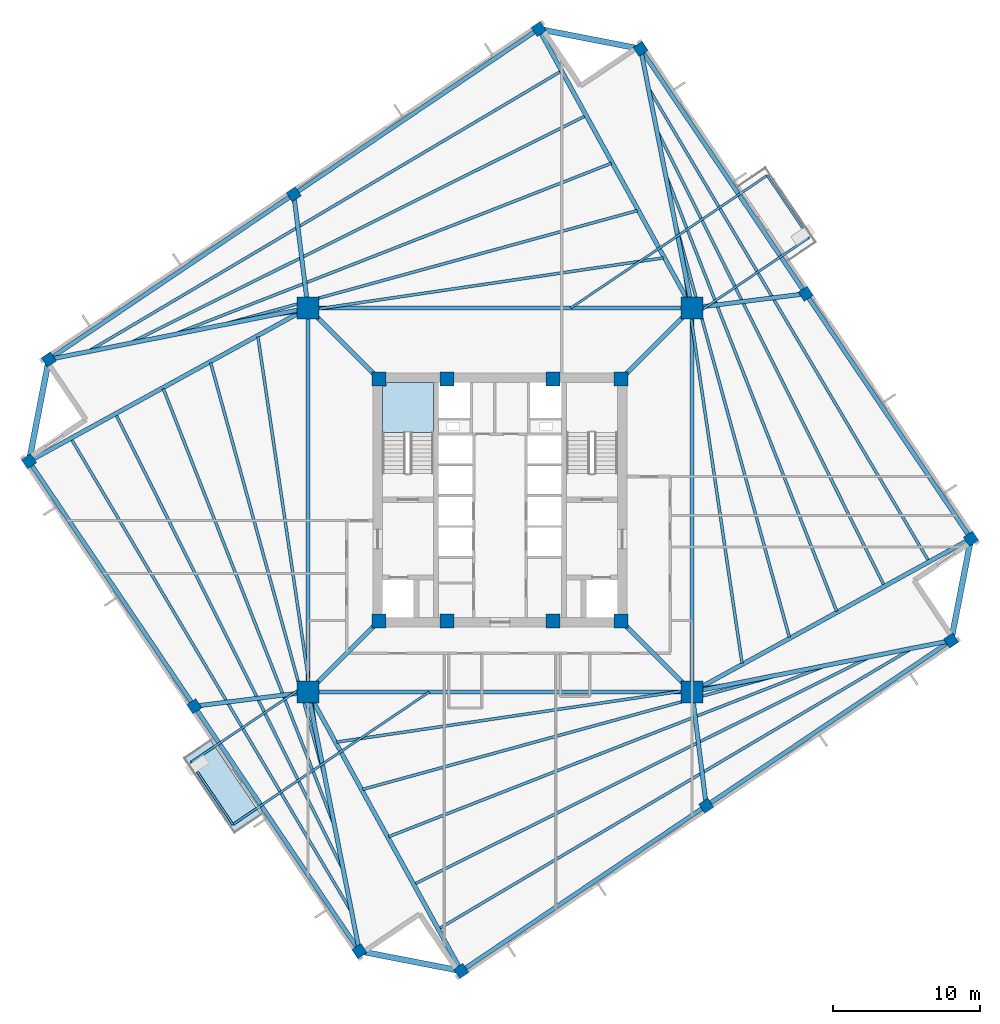
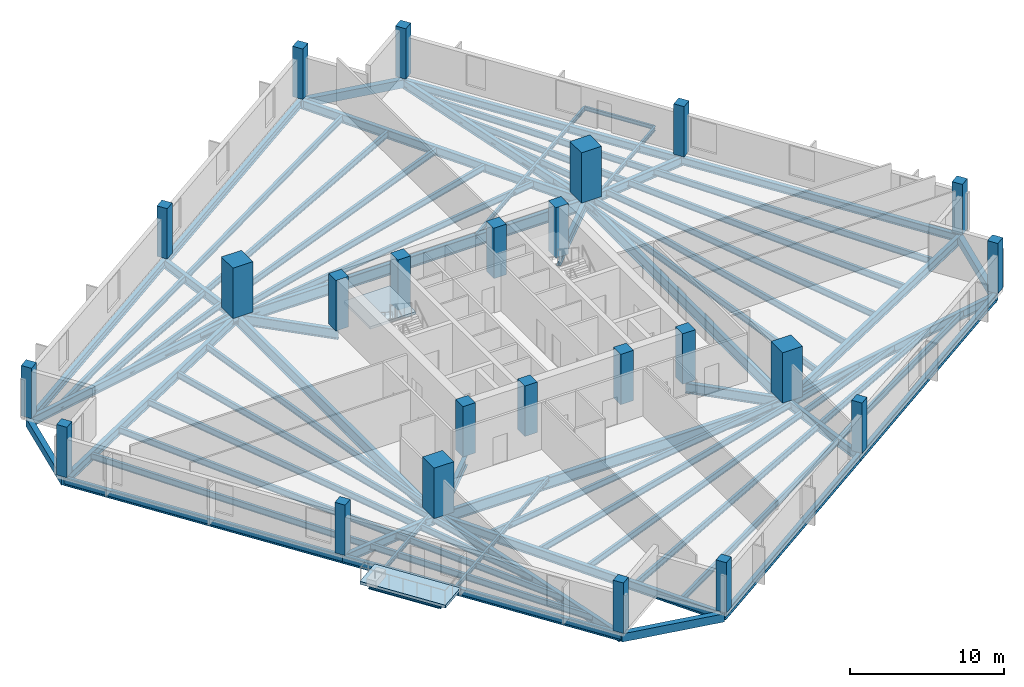
# One storey, part 1 of 9: 58 beams, 24 columns, 2 slabs, 1 element without a shape of its own.
"""IFC4 building model written with IfcOpenShell, lengths in metres."""

import ifcopenshell
import ifcopenshell.guid

model = None  # the IFC model being written
_history = None  # IfcOwnerHistory: only IFC2X3 demands one
_inside = {}  # id of a spatial element -> (the spatial element, [elements in it])
_under = {}  # id of a project, library or spatial element -> (it, [spatial elements below it])
_declared = {}  # id of a project -> (the project, [libraries it declares])
_typed = {}  # id of a type object -> (the type object, [elements of that type])
_made_of = {}  # id of a material, layer set ... -> (it, [elements and type objects made of it])


def new_model(schema):
    """Start an empty IFC model of exactly this schema.

    Asked for "IFC4X3", IfcOpenShell would pick the latest addendum, in which some entities
    have other attributes; the version numbers below select the first issue.
    IFC2X3 requires an IfcOwnerHistory on every rooted entity: one is made here for all.
    """
    global model, _history
    if schema == "IFC4X3":
        model = ifcopenshell.file(schema_version=(4, 3, 0, 0))
    else:
        model = ifcopenshell.file(schema=schema)
    _inside.clear()
    _under.clear()
    _declared.clear()
    _typed.clear()
    _made_of.clear()
    _history = None
    if model.schema == "IFC2X3":
        org = make("IfcOrganization", Name="unknown")
        user = make(
            "IfcPersonAndOrganization",
            ThePerson=make("IfcPerson", FamilyName="unknown"),
            TheOrganization=org,
        )
        app = make(
            "IfcApplication",
            ApplicationDeveloper=org,
            Version="unknown",
            ApplicationFullName="unknown",
            ApplicationIdentifier="unknown",
        )
        _history = make(
            "IfcOwnerHistory",
            OwningUser=user,
            OwningApplication=app,
            ChangeAction="ADDED",
            CreationDate=0,
        )
    return model


def make(cls, **values):
    """One entity of the class cls with the attributes given. An attribute that is None is left unset."""
    return model.create_entity(
        cls, **{name: value for name, value in values.items() if value is not None}
    )


def rooted(cls, **values):
    """An entity with a GlobalId (a new one), such as an element, a storey or a relation."""
    return make(cls, GlobalId=ifcopenshell.guid.new(), OwnerHistory=_history, **values)


def si_unit(unit_type, name, prefix=None):
    """IfcSIUnit, for example si_unit("LENGTHUNIT", "METRE", prefix="MILLI")."""
    return make("IfcSIUnit", UnitType=unit_type, Prefix=prefix, Name=name)


def assignment(units):
    """IfcUnitAssignment: the units of a project."""
    return None if units is None else make("IfcUnitAssignment", Units=units)


def point(xyz):
    """IfcCartesianPoint."""
    return None if xyz is None else make("IfcCartesianPoint", Coordinates=xyz)


def direction(xyz):
    """IfcDirection."""
    return None if xyz is None else make("IfcDirection", DirectionRatios=xyz)


def frame(location, z_axis=None, x_axis=None):
    """IfcAxis2Placement3D, a coordinate frame: its origin and axes. An axis left out is left unset."""
    return make(
        "IfcAxis2Placement3D",
        Location=point(location),
        Axis=direction(z_axis),
        RefDirection=direction(x_axis),
    )


def frame_2d(location, x_axis=None):
    """IfcAxis2Placement2D, a coordinate frame in the plane: its origin and x axis."""
    return make(
        "IfcAxis2Placement2D", Location=point(location), RefDirection=direction(x_axis)
    )


def origin():
    """The frame at (0, 0, 0) with its axes left unset."""
    return frame((0.0, 0.0, 0.0))


def origin_2d():
    """The frame at (0, 0) in the plane with its x axis left unset."""
    return frame_2d((0.0, 0.0))


def place(relative_to, where):
    """IfcLocalPlacement: puts the frame where relative to a parent placement (None: the world)."""
    return make(
        "IfcLocalPlacement", PlacementRelTo=relative_to, RelativePlacement=where
    )


def context(
    kind, dimensions, precision=None, world=None, true_north=None, identifier=None
):
    """IfcGeometricRepresentationContext, for example the 3D "Model" context."""
    return make(
        "IfcGeometricRepresentationContext",
        ContextIdentifier=identifier,
        ContextType=kind,
        CoordinateSpaceDimension=dimensions,
        Precision=precision,
        WorldCoordinateSystem=world,
        TrueNorth=true_north,
    )


def subcontext(parent, identifier, kind, view, scale=None):
    """IfcGeometricRepresentationSubContext, for example "Body" below "Model"."""
    return make(
        "IfcGeometricRepresentationSubContext",
        ContextIdentifier=identifier,
        ContextType=kind,
        ParentContext=parent,
        TargetScale=scale,
        TargetView=view,
    )


def project(units=None, contexts=None):
    """IfcProject with its units and contexts."""
    return rooted(
        "IfcProject",
        Name="project",
        RepresentationContexts=contexts,
        UnitsInContext=assignment(units),
    )


def spatial(cls, under=None, at=None, **own):
    """A site, building, storey or space (cls), placed at a placement, below another one or the project."""
    s = rooted(cls, ObjectPlacement=at, **own)
    if under is not None:
        _under.setdefault(under.id(), (under, []))[1].append(s)
    return s


def polyline(points):
    """IfcPolyline through the points."""
    return make("IfcPolyline", Points=[point(p) for p in points])


def profile(cls, at=None, kind="AREA", **sizes):
    """A parametric profile (cls). Its sizes go by their IFC names, for example OverallWidth=200.0."""
    return make(cls, ProfileType=kind, Position=at, **sizes)


def rectangle(**sizes):
    """IfcRectangleProfileDef."""
    return profile("IfcRectangleProfileDef", **sizes)


def i_section(**sizes):
    """IfcIShapeProfileDef."""
    return profile("IfcIShapeProfileDef", **sizes)


def outline(outer, holes=None, kind="AREA"):
    """IfcArbitraryClosedProfileDef: a profile drawn as a closed curve; with holes, ...WithVoids."""
    if holes is None:
        return make("IfcArbitraryClosedProfileDef", ProfileType=kind, OuterCurve=outer)
    return make(
        "IfcArbitraryProfileDefWithVoids",
        ProfileType=kind,
        OuterCurve=outer,
        InnerCurves=holes,
    )


def extrude(swept, where, along, depth):
    """IfcExtrudedAreaSolid: the profile swept, set in the frame where, extruded along a direction by depth."""
    return make(
        "IfcExtrudedAreaSolid",
        SweptArea=swept,
        Position=where,
        ExtrudedDirection=direction(along),
        Depth=depth,
    )


def shape(context_of_items, identifier, shape_type, items):
    """IfcShapeRepresentation: the items that make up one representation, for example the "Body"."""
    return make(
        "IfcShapeRepresentation",
        ContextOfItems=context_of_items,
        RepresentationIdentifier=identifier,
        RepresentationType=shape_type,
        Items=items,
    )


def source(mapping_origin, context_of_items, identifier, shape_type, items):
    """IfcRepresentationMap: a shape defined once, which mapped items show again and again."""
    return make(
        "IfcRepresentationMap",
        MappingOrigin=mapping_origin,
        MappedRepresentation=shape(context_of_items, identifier, shape_type, items),
    )


def transform(
    local_origin,
    x_axis=None,
    y_axis=None,
    z_axis=None,
    scale=None,
    scale2=None,
    scale3=None,
    uniform=True,
):
    """IfcCartesianTransformationOperator3D, or its non-uniform kind. x_axis, y_axis, z_axis: its Axis1, 2, 3."""
    if uniform:
        return make(
            "IfcCartesianTransformationOperator3D",
            Axis1=direction(x_axis),
            Axis2=direction(y_axis),
            LocalOrigin=point(local_origin),
            Scale=scale,
            Axis3=direction(z_axis),
        )
    return make(
        "IfcCartesianTransformationOperator3DnonUniform",
        Axis1=direction(x_axis),
        Axis2=direction(y_axis),
        LocalOrigin=point(local_origin),
        Scale=scale,
        Axis3=direction(z_axis),
        Scale2=scale2,
        Scale3=scale3,
    )


def mapped(mapping_source, mapping_target):
    """IfcMappedItem: shows the shape of a source again, moved by a transform."""
    return make(
        "IfcMappedItem", MappingSource=mapping_source, MappingTarget=mapping_target
    )


def material(Name=None, Category=None):
    """IfcMaterial."""
    return make("IfcMaterial", Name=Name, Category=Category)


def layer(
    of_material, thickness, ventilated=None, Name=None, Category=None, Priority=None
):
    """IfcMaterialLayer: one layer of a wall or slab, of a material (None: an air gap)."""
    return make(
        "IfcMaterialLayer",
        Material=of_material,
        LayerThickness=thickness,
        IsVentilated=ventilated,
        Name=Name,
        Category=Category,
        Priority=Priority,
    )


def layer_set(layers, Name=None):
    """IfcMaterialLayerSet."""
    return make("IfcMaterialLayerSet", MaterialLayers=layers, LayerSetName=Name)


def material_profile(
    of_material, cross_section, Name=None, Category=None, Priority=None
):
    """IfcMaterialProfile: a cross section and its material."""
    return make(
        "IfcMaterialProfile",
        Name=Name,
        Material=of_material,
        Profile=cross_section,
        Priority=Priority,
        Category=Category,
    )


def profile_set(profiles, Name=None, composite=None):
    """IfcMaterialProfileSet."""
    return make(
        "IfcMaterialProfileSet",
        Name=Name,
        MaterialProfiles=profiles,
        CompositeProfile=composite,
    )


def made_of(thing, what):
    """Note that an element or type object is made of a material, layer set ...; save() writes the relation."""
    if what is not None:
        _made_of.setdefault(what.id(), (what, []))[1].append(thing)
    return thing


def type_object(cls, material=None, **own):
    """A type object (cls), such as IfcWallType, which elements share."""
    return made_of(rooted(cls, **own), material)


def element(
    cls,
    number,
    at=None,
    inside=None,
    cuts=None,
    type_object=None,
    material=None,
    context=None,
    identifier="Body",
    shape_type=None,
    held_by="IfcProductDefinitionShape",
    body=None,
    shapes=None,
    **own,
):
    """One element of the class cls, such as IfcWall. Its Tag is "e" and its number.

    at: its placement. inside: the storey or other place that contains it. cuts: it is an
    opening in that element (IfcRelVoidsElement). A single representation is given by context,
    identifier, shape_type and body (its items); several are given by shapes. held_by: the class
    of the entity that holds the representations. save() writes the other relations.
    """
    e = rooted(cls, Tag="e%d" % number, ObjectPlacement=at, **own)
    if body is not None:
        shapes = [shape(context, identifier, shape_type, body)]
    if shapes is not None:
        e.Representation = make(held_by, Representations=shapes)
    if inside is not None:
        _inside.setdefault(inside.id(), (inside, []))[1].append(e)
    if cuts is not None:
        rooted(
            "IfcRelVoidsElement", RelatingBuildingElement=cuts, RelatedOpeningElement=e
        )
    if type_object is not None:
        _typed.setdefault(type_object.id(), (type_object, []))[1].append(e)
    return made_of(e, material)


def aggregate(whole, parts):
    """IfcRelAggregates: a whole, such as a stair, and the parts it consists of."""
    return rooted("IfcRelAggregates", RelatingObject=whole, RelatedObjects=parts)


def save(model, path):
    """Write the relations noted so far, then the file.

    IfcRelAggregates (storeys below a building ...), IfcRelContainedInSpatialStructure (elements
    in a storey), IfcRelDefinesByType, IfcRelAssociatesMaterial and IfcRelDeclares: one each for
    every whole, place, type object, material and project.
    """
    for whole, parts in _under.values():
        aggregate(whole, parts)
    for where, things in _inside.values():
        rooted(
            "IfcRelContainedInSpatialStructure",
            RelatedElements=things,
            RelatingStructure=where,
        )
    for kind, things in _typed.values():
        rooted("IfcRelDefinesByType", RelatedObjects=things, RelatingType=kind)
    for what, things in _made_of.values():
        rooted("IfcRelAssociatesMaterial", RelatedObjects=things, RelatingMaterial=what)
    for by, libraries in _declared.values():
        rooted("IfcRelDeclares", RelatingContext=by, RelatedDefinitions=libraries)
    model.write(path)


model = new_model("IFC4")

# Units and contexts
model_context = context("Model", 3, precision=1e-05, world=origin(), true_north=direction((0.0, 1.0)))
body_context = subcontext(model_context, "Body", "Model", "MODEL_VIEW")
ifc_project = project(units=[si_unit("LENGTHUNIT", "METRE"), si_unit("AREAUNIT", "SQUARE_METRE"), si_unit("VOLUMEUNIT", "CUBIC_METRE"), si_unit("PLANEANGLEUNIT", "RADIAN"), si_unit("MASSUNIT", "GRAM", prefix="KILO"), si_unit("THERMODYNAMICTEMPERATUREUNIT", "KELVIN")], contexts=[model_context])

# Site, building, storey
site_placement = place(None, origin())
site = spatial("IfcSite", under=ifc_project, at=site_placement, CompositionType="ELEMENT")
building_placement = place(site_placement, origin())
building = spatial("IfcBuilding", under=site, at=building_placement, Name="Kosmvard Interchange Tower", CompositionType="ELEMENT")
storey_placement = place(building_placement, frame((0.0, 0.0, 168.39990234375)))
storey = spatial("IfcBuildingStorey", under=building, at=storey_placement, Name="L40", CompositionType="ELEMENT", Elevation=168.39990234375)

# Columns
ifc_material_1 = material(Name="Concrete C60/75", Category="concrete")
ifc_material_profile_1 = material_profile(ifc_material_1, rectangle(XDim=0.949951171875, YDim=0.949951171875, at=origin_2d()), Name="CP 950x950")
ifc_profile_set_1 = profile_set([ifc_material_profile_1], Name="Concrete C60/75")
column_type_1 = type_object("IfcColumnType", Name="Core Boundary Pilaster 950x950 C60/75", PredefinedType="PILASTER", material=ifc_profile_set_1)
shared_shape_1 = source(origin(), body_context, "Body", "SweptSolid", [
    extrude(rectangle(XDim=0.949951171875, YDim=0.949951171875, at=origin_2d()), origin(), (0.0, 0.0, 1.0), 4.0),
])
for number, where, z_axis, x_axis, name in (
    (1, (-8.25, -8.25, 0.0), (0.0, 0.0, 1.0), (1.0, 0.0, 0.0), "L40 Core Pilaster CP1"),
    (2, (8.25, -8.25, 0.0), (0.0, 0.0, 1.0), (1.0, 0.0, 0.0), "L40 Core Pilaster CP2"),
    (3, (8.25, 8.25, 0.0), (0.0, 0.0, 1.0), (1.0, 0.0, 0.0), "L40 Core Pilaster CP3"),
    (4, (-8.25, 8.25, 0.0), (0.0, 0.0, 1.0), (1.0, 0.0, 0.0), "L40 Core Pilaster CP4"),
    (5, (-3.60009765625, -8.25, 0.0), (0.0, 0.0, 1.0), (1.0, 0.0, 0.0), "L40 Core Pilaster CP5"),
    (6, (3.60009765625, -8.25, 0.0), (0.0, 0.0, 1.0), (1.0, 0.0, 0.0), "L40 Core Pilaster CP6"),
    (7, (-3.60009765625, 8.25, 0.0), (0.0, 0.0, 1.0), (1.0, 0.0, 0.0), "L40 Core Pilaster CP7"),
    (8, (3.60009765625, 8.25, 0.0), (0.0, 0.0, 1.0), (1.0, 0.0, 0.0), "L40 Core Pilaster CP8"),
):
    element("IfcColumn", number, at=place(storey_placement, frame(where, z_axis=z_axis, x_axis=x_axis)), inside=storey, type_object=column_type_1, Name=name, PredefinedType="PILASTER", context=body_context, shape_type="MappedRepresentation", body=[
        mapped(shared_shape_1, transform((0.0, 0.0, 0.0), scale=1.0)),
    ])
ifc_material_profile_2 = material_profile(ifc_material_1, rectangle(XDim=1.5, YDim=1.5, at=origin_2d()), Name="MC 1500x1500")
ifc_profile_set_2 = profile_set([ifc_material_profile_2], Name="Concrete C60/75")
column_type_2 = type_object("IfcColumnType", Name="Composite Mega-Column 1500x1500 C60/75", PredefinedType="COLUMN", material=ifc_profile_set_2)
shared_shape_2 = source(origin(), body_context, "Body", "SweptSolid", [
    extrude(rectangle(XDim=1.5, YDim=1.5, at=origin_2d()), origin(), (0.0, 0.0, 1.0), 4.0),
])
for number, where, z_axis, x_axis, name in (
    (9, (-13.0810546875, -13.0810546875, 0.0), (0.0, 0.0, 1.0), (1.0, 0.0, 0.0), "L40 Corner Mega-Column MC1"),
    (10, (13.0810546875, -13.0810546875, 0.0), (0.0, 0.0, 1.0), (1.0, 0.0, 0.0), "L40 Corner Mega-Column MC2"),
    (11, (13.0810546875, 13.0810546875, 0.0), (0.0, 0.0, 1.0), (1.0, 0.0, 0.0), "L40 Corner Mega-Column MC3"),
    (12, (-13.0810546875, 13.0810546875, 0.0), (0.0, 0.0, 1.0), (1.0, 0.0, 0.0), "L40 Corner Mega-Column MC4"),
):
    element("IfcColumn", number, at=place(storey_placement, frame(where, z_axis=z_axis, x_axis=x_axis)), inside=storey, type_object=column_type_2, Name=name, PredefinedType="COLUMN", context=body_context, shape_type="MappedRepresentation", body=[
        mapped(shared_shape_2, transform((0.0, 0.0, 0.0), scale=1.0)),
    ])
ifc_material_2 = material(Name="Concrete C50/60", Category="concrete")
ifc_material_profile_3 = material_profile(ifc_material_2, rectangle(XDim=0.75, YDim=0.75, at=origin_2d()), Name="TC 750x750")
ifc_profile_set_3 = profile_set([ifc_material_profile_3], Name="Concrete C50/60")
column_type_3 = type_object("IfcColumnType", Name="Zone 3 Perimeter Pier Column 750x750 C50/60", PredefinedType="COLUMN", material=ifc_profile_set_3)
shared_shape_3 = source(origin(), body_context, "Body", "SweptSolid", [
    extrude(rectangle(XDim=0.75, YDim=0.75, at=origin_2d()), origin(), (0.0, 0.0, 1.0), 4.0),
])
for number, where, z_axis, x_axis, name in (
    (13, (-2.634765625, -32.083251953125, 0.0), (0.0, 0.0, 1.0), (0.829037572555, 0.559192903471, 0.0), "L40 Perimeter Pier Column TC-S1"),
    (14, (14.0498046875, -20.82958984375, 0.0), (0.0, 0.0, 1.0), (0.829037572555, 0.559192903471, 0.0), "L40 Perimeter Pier Column TC-S2"),
    (15, (30.734130859375, -9.575927734375, 0.0), (0.0, 0.0, 1.0), (0.829037572555, 0.559192903471, 0.0), "L40 Perimeter Pier Column TC-S3"),
    (16, (32.083251953125, -2.634765625, 0.0), (0.0, 0.0, 1.0), (0.829037572555, 0.559192903471, 0.0), "L40 Perimeter Pier Column TC-E1"),
    (17, (20.82958984375, 14.0498046875, 0.0), (0.0, 0.0, 1.0), (0.829037572555, 0.559192903471, 0.0), "L40 Perimeter Pier Column TC-E2"),
    (18, (9.575927734375, 30.734130859375, 0.0), (0.0, 0.0, 1.0), (0.829037572555, 0.559192903471, 0.0), "L40 Perimeter Pier Column TC-E3"),
    (19, (2.634765625, 32.083251953125, 0.0), (0.0, 0.0, 1.0), (0.829037572555, 0.559192903471, 0.0), "L40 Perimeter Pier Column TC-N1"),
    (20, (-14.0498046875, 20.82958984375, 0.0), (0.0, 0.0, 1.0), (0.829037572555, 0.559192903471, 0.0), "L40 Perimeter Pier Column TC-N2"),
    (21, (-30.734130859375, 9.575927734375, 0.0), (0.0, 0.0, 1.0), (0.829037572555, 0.559192903471, 0.0), "L40 Perimeter Pier Column TC-N3"),
    (22, (-32.083251953125, 2.634765625, 0.0), (0.0, 0.0, 1.0), (0.829037572555, 0.559192903471, 0.0), "L40 Perimeter Pier Column TC-W1"),
    (23, (-20.82958984375, -14.0498046875, 0.0), (0.0, 0.0, 1.0), (0.829037572555, 0.559192903471, 0.0), "L40 Perimeter Pier Column TC-W2"),
    (24, (-9.575927734375, -30.734130859375, 0.0), (0.0, 0.0, 1.0), (0.829037572555, 0.559192903471, 0.0), "L40 Perimeter Pier Column TC-W3"),
):
    element("IfcColumn", number, at=place(storey_placement, frame(where, z_axis=z_axis, x_axis=x_axis)), inside=storey, type_object=column_type_3, Name=name, PredefinedType="COLUMN", context=body_context, shape_type="MappedRepresentation", body=[
        mapped(shared_shape_3, transform((0.0, 0.0, 0.0), scale=1.0)),
    ])

# Beams
ifc_material_3 = material(Name="Steel S355", Category="steel")
ifc_material_profile_4 = material_profile(ifc_material_3, i_section(OverallWidth=0.14990234375, OverallDepth=0.300048828125, WebThickness=0.007080078125, FlangeThickness=0.0107421875, FilletRadius=0.014892578125, at=origin_2d()), Name="IPE 300")
ifc_profile_set_4 = profile_set([ifc_material_profile_4], Name="Steel S355")
beam_type_1 = type_object("IfcBeamType", Name="Balcony Edge Header Joist IPE 300 S355", PredefinedType="JOIST", material=ifc_profile_set_4)
shared_shape_4 = source(origin(), body_context, "Body", "SweptSolid", [
    extrude(i_section(OverallWidth=0.14990234375, OverallDepth=0.300048828125, WebThickness=0.007080078125, FlangeThickness=0.0107421875, FilletRadius=0.014892578125, at=origin_2d()), origin(), (0.0, 0.0, 1.0), 5.099853515625),
])
for number, where, z_axis, x_axis, name in (
    (25, (21.051513671875, 17.87841796875, -0.409912109375), (-0.559188346666, 0.82904064614, 0.0), (-0.82904064614, -0.559188346666, 0.0), "BM-L40-BJH1"),
    (26, (-21.051513671875, -17.87841796875, -0.409912109375), (0.559188346666, -0.82904064614, 0.0), (0.82904064614, 0.559188346666, 0.0), "BM-L40-BJH2"),
):
    element("IfcBeam", number, at=place(storey_placement, frame(where, z_axis=z_axis, x_axis=x_axis)), inside=storey, type_object=beam_type_1, Name=name, PredefinedType="JOIST", context=body_context, shape_type="MappedRepresentation", body=[
        mapped(shared_shape_4, transform((0.0, 0.0, 0.0), scale=1.0)),
    ])
ifc_material_profile_5 = material_profile(ifc_material_3, i_section(OverallWidth=0.300048828125, OverallDepth=0.800048828125, WebThickness=0.017578125, FlangeThickness=0.032958984375, FilletRadius=0.027099609375, at=origin_2d()), Name="HEB 800")
ifc_profile_set_5 = profile_set([ifc_material_profile_5], Name="Steel S355")
beam_type_2 = type_object("IfcBeamType", Name="Primary Mega-Frame Girder HEB 800 S355", PredefinedType="BEAM", material=ifc_profile_set_5)
shared_shape_5 = source(origin(), body_context, "Body", "SweptSolid", [
    extrude(i_section(OverallWidth=0.300048828125, OverallDepth=0.800048828125, WebThickness=0.017578125, FlangeThickness=0.032958984375, FilletRadius=0.027099609375, at=origin_2d()), origin(), (0.0, 0.0, 1.0), 6.83203125),
])
for number, where, z_axis, x_axis, name in (
    (27, (-8.25, -8.25, -0.659912109375), (-0.707106781187, -0.707106781187, 0.0), (0.707106781187, -0.707106781187, 0.0), "L40 Radial Mega-Frame Girder 1"),
    (28, (8.25, -8.25, -0.659912109375), (0.707106781187, -0.707106781187, 0.0), (0.707106781187, 0.707106781187, 0.0), "L40 Radial Mega-Frame Girder 2"),
    (29, (8.25, 8.25, -0.659912109375), (0.707106781187, 0.707106781187, 0.0), (-0.707106781187, 0.707106781187, 0.0), "L40 Radial Mega-Frame Girder 3"),
    (30, (-8.25, 8.25, -0.659912109375), (-0.707106781187, 0.707106781187, 0.0), (-0.707106781187, -0.707106781187, 0.0), "L40 Radial Mega-Frame Girder 4"),
):
    element("IfcBeam", number, at=place(storey_placement, frame(where, z_axis=z_axis, x_axis=x_axis)), inside=storey, type_object=beam_type_2, Name=name, PredefinedType="BEAM", context=body_context, shape_type="MappedRepresentation", body=[
        mapped(shared_shape_5, transform((0.0, 0.0, 0.0), scale=1.0)),
    ])
ifc_material_profile_6 = material_profile(ifc_material_3, i_section(OverallWidth=0.300048828125, OverallDepth=0.89990234375, WebThickness=0.0185546875, FlangeThickness=0.034912109375, FilletRadius=0.030029296875, at=origin_2d()), Name="HEB 900")
ifc_profile_set_6 = profile_set([ifc_material_profile_6], Name="Steel S355")
beam_type_3 = type_object("IfcBeamType", Name="Mega-Column Ring Girder HEB 900 S355", PredefinedType="BEAM", material=ifc_profile_set_6)
shared_shape_6 = source(origin(), body_context, "Body", "SweptSolid", [
    extrude(i_section(OverallWidth=0.300048828125, OverallDepth=0.89990234375, WebThickness=0.0185546875, FlangeThickness=0.034912109375, FilletRadius=0.030029296875, at=origin_2d()), origin(), (0.0, 0.0, 1.0), 26.162109375),
])
for number, where, z_axis, x_axis, name in (
    (31, (-13.0810546875, -13.0810546875, -0.7099609375), (1.0, 0.0, 0.0), (0.0, 1.0, 0.0), "L40 Mega-Column Ring Girder 1"),
    (32, (13.0810546875, -13.0810546875, -0.7099609375), (0.0, 1.0, 0.0), (-1.0, 0.0, 0.0), "L40 Mega-Column Ring Girder 2"),
    (33, (13.0810546875, 13.0810546875, -0.7099609375), (-1.0, 0.0, 0.0), (0.0, -1.0, 0.0), "L40 Mega-Column Ring Girder 3"),
    (34, (-13.0810546875, 13.0810546875, -0.7099609375), (0.0, -1.0, 0.0), (1.0, 0.0, 0.0), "L40 Mega-Column Ring Girder 4"),
):
    element("IfcBeam", number, at=place(storey_placement, frame(where, z_axis=z_axis, x_axis=x_axis)), inside=storey, type_object=beam_type_3, Name=name, PredefinedType="BEAM", context=body_context, shape_type="MappedRepresentation", body=[
        mapped(shared_shape_6, transform((0.0, 0.0, 0.0), scale=1.0)),
    ])
ifc_material_profile_7 = material_profile(ifc_material_3, i_section(OverallWidth=0.300048828125, OverallDepth=0.60009765625, WebThickness=0.015380859375, FlangeThickness=0.030029296875, FilletRadius=0.027099609375, at=origin_2d()), Name="HEB 600")
ifc_profile_set_7 = profile_set([ifc_material_profile_7], Name="Steel S355")
beam_type_4 = type_object("IfcBeamType", Name="Perimeter Tie Girder HEB 600 S355", PredefinedType="BEAM", material=ifc_profile_set_7)
shared_shape_7 = source(origin(), body_context, "Body", "SweptSolid", [
    extrude(i_section(OverallWidth=0.300048828125, OverallDepth=0.60009765625, WebThickness=0.015380859375, FlangeThickness=0.030029296875, FilletRadius=0.027099609375, at=origin_2d()), origin(), (0.0, 0.0, 1.0), 20.125),
])
for number, where, z_axis, x_axis, name in (
    (35, (-2.634765625, -32.083251953125, -0.559814453125), (0.82904270175, 0.559185299051, 0.0), (-0.559185299051, 0.82904270175, 0.0), "BM-L40-PR01"),
    (36, (14.0498046875, -20.82958984375, -0.559814453125), (0.829038908426, 0.559190922956, 0.0), (-0.559190922956, 0.829038908426, 0.0), "BM-L40-PR02"),
    (37, (32.083251953125, -2.634765625, -0.559814453125), (-0.559185299051, 0.82904270175, 0.0), (-0.82904270175, -0.559185299051, 0.0), "BM-L40-PR04"),
    (38, (20.82958984375, 14.0498046875, -0.559814453125), (-0.559190922956, 0.829038908426, 0.0), (-0.829038908426, -0.559190922956, 0.0), "BM-L40-PR05"),
    (39, (2.634765625, 32.083251953125, -0.559814453125), (-0.82904270175, -0.559185299051, 0.0), (0.559185299051, -0.82904270175, 0.0), "BM-L40-PR07"),
    (40, (-14.0498046875, 20.82958984375, -0.559814453125), (-0.829038908426, -0.559190922956, 0.0), (0.559190922956, -0.829038908426, 0.0), "BM-L40-PR08"),
    (41, (-32.083251953125, 2.634765625, -0.559814453125), (0.559185299051, -0.82904270175, 0.0), (0.82904270175, 0.559185299051, 0.0), "BM-L40-PR10"),
    (42, (-20.82958984375, -14.0498046875, -0.559814453125), (0.559190922956, -0.829038908426, 0.0), (0.829038908426, 0.559190922956, 0.0), "BM-L40-PR11"),
):
    element("IfcBeam", number, at=place(storey_placement, frame(where, z_axis=z_axis, x_axis=x_axis)), inside=storey, type_object=beam_type_4, Name=name, PredefinedType="BEAM", context=body_context, shape_type="MappedRepresentation", body=[
        mapped(shared_shape_7, transform((0.0, 0.0, 0.0), scale=1.0)),
    ])
ifc_material_profile_8 = material_profile(ifc_material_3, i_section(OverallWidth=0.300048828125, OverallDepth=0.699951171875, WebThickness=0.01708984375, FlangeThickness=0.031982421875, FilletRadius=0.027099609375, at=origin_2d()), Name="HEB 700")
ifc_profile_set_8 = profile_set([ifc_material_profile_8], Name="Steel S355")
beam_type_5 = type_object("IfcBeamType", Name="Primary Floor Girder HEB 700 S355", PredefinedType="BEAM", material=ifc_profile_set_8)
shared_shape_8 = source(origin(), body_context, "Body", "SweptSolid", [
    extrude(i_section(OverallWidth=0.300048828125, OverallDepth=0.699951171875, WebThickness=0.01708984375, FlangeThickness=0.031982421875, FilletRadius=0.027099609375, at=origin_2d()), origin(), (0.0, 0.0, 1.0), 21.684326171875),
])
for number, where, z_axis, x_axis, name in (
    (43, (-13.0810546875, -13.0810546875, -0.60986328125), (0.48174456271, -0.876311689012, 0.0), (0.876311689012, 0.48174456271, 0.0), "BM-L40-RD01"),
    (44, (13.0810546875, -13.0810546875, -0.60986328125), (0.876311689012, 0.48174456271, 0.0), (-0.48174456271, 0.876311689012, 0.0), "BM-L40-RD04"),
    (45, (13.0810546875, 13.0810546875, -0.60986328125), (-0.48174456271, 0.876311689012, 0.0), (-0.876311689012, -0.48174456271, 0.0), "BM-L40-RD07"),
    (46, (-13.0810546875, 13.0810546875, -0.60986328125), (-0.876311689012, -0.48174456271, 0.0), (0.48174456271, -0.876311689012, 0.0), "BM-L40-RD10"),
):
    element("IfcBeam", number, at=place(storey_placement, frame(where, z_axis=z_axis, x_axis=x_axis)), inside=storey, type_object=beam_type_5, Name=name, PredefinedType="BEAM", context=body_context, shape_type="MappedRepresentation", body=[
        mapped(shared_shape_8, transform((0.0, 0.0, 0.0), scale=1.0)),
    ])
shared_shape_9 = source(origin(), body_context, "Body", "SweptSolid", [
    extrude(i_section(OverallWidth=0.300048828125, OverallDepth=0.699951171875, WebThickness=0.01708984375, FlangeThickness=0.031982421875, FilletRadius=0.027099609375, at=origin_2d()), origin(), (0.0, 0.0, 1.0), 7.808837890625),
])
for number, where, z_axis, x_axis, name in (
    (47, (13.0810546875, -13.0810546875, -0.60986328125), (0.12405782224, -0.992274990485, 0.0), (0.992274990485, 0.12405782224, 0.0), "BM-L40-RD02"),
    (48, (13.0810546875, 13.0810546875, -0.60986328125), (0.992274990485, 0.12405782224, 0.0), (-0.12405782224, 0.992274990485, 0.0), "BM-L40-RD05"),
    (49, (-13.0810546875, 13.0810546875, -0.60986328125), (-0.12405782224, 0.992274990485, 0.0), (-0.992274990485, -0.12405782224, 0.0), "BM-L40-RD08"),
    (50, (-13.0810546875, -13.0810546875, -0.60986328125), (-0.992274990485, -0.12405782224, 0.0), (0.12405782224, -0.992274990485, 0.0), "BM-L40-RD11"),
):
    element("IfcBeam", number, at=place(storey_placement, frame(where, z_axis=z_axis, x_axis=x_axis)), inside=storey, type_object=beam_type_5, Name=name, PredefinedType="BEAM", context=body_context, shape_type="MappedRepresentation", body=[
        mapped(shared_shape_9, transform((0.0, 0.0, 0.0), scale=1.0)),
    ])
ifc_material_4 = material(Name="Precast concrete C45/55", Category="concrete")
ifc_material_profile_9 = material_profile(ifc_material_4, rectangle(XDim=0.39990234375, YDim=0.64990234375, at=origin_2d()), Name="SL 400x650")
ifc_profile_set_9 = profile_set([ifc_material_profile_9], Name="Precast concrete C45/55")
beam_type_6 = type_object("IfcBeamType", Name="Precast Spandrel Lintel 400x650 C45/55", PredefinedType="LINTEL", material=ifc_profile_set_9)
shared_shape_10 = source(origin(), body_context, "Body", "SweptSolid", [
    extrude(rectangle(XDim=0.39990234375, YDim=0.64990234375, at=origin_2d()), origin(), (0.0, 0.0, 1.0), 7.071044921875),
])
for number, where, z_axis, x_axis, name in (
    (51, (30.734130859375, -9.575927734375, -0.5849609375), (0.190794803533, 0.981629941956, 0.0), (-0.981629941956, 0.190794803533, 0.0), "BM-L40-SL1"),
    (52, (9.575927734375, 30.734130859375, -0.5849609375), (-0.981629941956, 0.190794803533, 0.0), (-0.190794803533, -0.981629941956, 0.0), "BM-L40-SL2"),
    (53, (-30.734130859375, 9.575927734375, -0.5849609375), (-0.190794803533, -0.981629941956, 0.0), (0.981629941956, -0.190794803533, 0.0), "BM-L40-SL3"),
    (54, (-9.575927734375, -30.734130859375, -0.5849609375), (0.981629941956, -0.190794803533, 0.0), (0.190794803533, 0.981629941956, 0.0), "BM-L40-SL4"),
):
    element("IfcBeam", number, at=place(storey_placement, frame(where, z_axis=z_axis, x_axis=x_axis)), inside=storey, type_object=beam_type_6, Name=name, PredefinedType="LINTEL", context=body_context, shape_type="MappedRepresentation", body=[
        mapped(shared_shape_10, transform((0.0, 0.0, 0.0), scale=1.0)),
    ])
shared_shape_11 = source(origin(), body_context, "Body", "SweptSolid", [
    extrude(i_section(OverallWidth=0.300048828125, OverallDepth=0.699951171875, WebThickness=0.01708984375, FlangeThickness=0.031982421875, FilletRadius=0.027099609375, at=origin_2d()), origin(), (0.0, 0.0, 1.0), 17.997802734375),
])
for number, where, z_axis, x_axis, name in (
    (55, (13.0810546875, -13.0810546875, -0.60986328125), (0.980852075755, 0.194754218148, 0.0), (-0.194754218148, 0.980852075755, 0.0), "BM-L40-RD03"),
    (56, (13.0810546875, 13.0810546875, -0.60986328125), (-0.194754218148, 0.980852075755, 0.0), (-0.980852075755, -0.194754218148, 0.0), "BM-L40-RD06"),
    (57, (-13.0810546875, 13.0810546875, -0.60986328125), (-0.980852075755, -0.194754218148, 0.0), (0.194754218148, -0.980852075755, 0.0), "BM-L40-RD09"),
    (58, (-13.0810546875, -13.0810546875, -0.60986328125), (0.194754218148, -0.980852075755, 0.0), (0.980852075755, 0.194754218148, 0.0), "BM-L40-RD12"),
):
    element("IfcBeam", number, at=place(storey_placement, frame(where, z_axis=z_axis, x_axis=x_axis)), inside=storey, type_object=beam_type_5, Name=name, PredefinedType="BEAM", context=body_context, shape_type="MappedRepresentation", body=[
        mapped(shared_shape_11, transform((0.0, 0.0, 0.0), scale=1.0)),
    ])
ifc_material_profile_10 = material_profile(ifc_material_3, i_section(OverallWidth=0.199951171875, OverallDepth=0.5, WebThickness=0.01025390625, FlangeThickness=0.01611328125, FilletRadius=0.02099609375, at=origin_2d()), Name="IPE 500")
ifc_profile_set_10 = profile_set([ifc_material_profile_10], Name="Steel S355")
beam_type_7 = type_object("IfcBeamType", Name="Standard Floor Joist IPE 500 S355", PredefinedType="JOIST", material=ifc_profile_set_10)
shared_shape_12 = source(origin(), body_context, "Body", "SweptSolid", [
    extrude(i_section(OverallWidth=0.199951171875, OverallDepth=0.5, WebThickness=0.01025390625, FlangeThickness=0.01611328125, FilletRadius=0.02099609375, at=origin_2d()), origin(), (0.0, 0.0, 1.0), 27.5966796875),
])
for number, where, z_axis, x_axis, name in (
    (59, (-11.12158203125, -16.48974609375, -0.510009765625), (0.989290070387, 0.145962860463, 0.0), (-0.145962860463, 0.989290070387, 0.0), "BM-L40-FJ01"),
    (60, (16.48974609375, -11.12158203125, -0.510009765625), (-0.145962860463, 0.989290070387, 0.0), (-0.989290070387, -0.145962860463, 0.0), "BM-L40-FJ06"),
    (61, (11.12158203125, 16.48974609375, -0.510009765625), (-0.989290070387, -0.145962860463, 0.0), (0.145962860463, -0.989290070387, 0.0), "BM-L40-FJ11"),
    (62, (-16.48974609375, 11.12158203125, -0.510009765625), (0.145962860463, -0.989290070387, 0.0), (0.989290070387, 0.145962860463, 0.0), "BM-L40-FJ16"),
):
    element("IfcBeam", number, at=place(storey_placement, frame(where, z_axis=z_axis, x_axis=x_axis)), inside=storey, type_object=beam_type_7, Name=name, PredefinedType="JOIST", context=body_context, shape_type="MappedRepresentation", body=[
        mapped(shared_shape_12, transform((0.0, 0.0, 0.0), scale=1.0)),
    ])
shared_shape_13 = source(origin(), body_context, "Body", "SweptSolid", [
    extrude(i_section(OverallWidth=0.199951171875, OverallDepth=0.5, WebThickness=0.01025390625, FlangeThickness=0.01611328125, FilletRadius=0.02099609375, at=origin_2d()), origin(), (0.0, 0.0, 1.0), 29.58642578125),
])
for number, where, z_axis, x_axis, name in (
    (63, (-9.34765625, -19.710693359375, -0.510009765625), (0.964296527467, 0.264824861209, 0.0), (-0.264824861209, 0.964296527467, 0.0), "BM-L40-FJ02"),
    (64, (19.710693359375, -9.34765625, -0.510009765625), (-0.264824861209, 0.964296527467, 0.0), (-0.964296527467, -0.264824861209, 0.0), "BM-L40-FJ07"),
    (65, (9.34765625, 19.710693359375, -0.510009765625), (-0.964296527467, -0.264824861209, 0.0), (0.264824861209, -0.964296527467, 0.0), "BM-L40-FJ12"),
    (66, (-19.710693359375, 9.34765625, -0.510009765625), (0.264824861209, -0.964296527467, 0.0), (0.964296527467, 0.264824861209, 0.0), "BM-L40-FJ17"),
):
    element("IfcBeam", number, at=place(storey_placement, frame(where, z_axis=z_axis, x_axis=x_axis)), inside=storey, type_object=beam_type_7, Name=name, PredefinedType="JOIST", context=body_context, shape_type="MappedRepresentation", body=[
        mapped(shared_shape_13, transform((0.0, 0.0, 0.0), scale=1.0)),
    ])
shared_shape_14 = source(origin(), body_context, "Body", "SweptSolid", [
    extrude(i_section(OverallWidth=0.199951171875, OverallDepth=0.5, WebThickness=0.01025390625, FlangeThickness=0.01611328125, FilletRadius=0.02099609375, at=origin_2d()), origin(), (0.0, 0.0, 1.0), 31.9580078125),
])
for number, where, z_axis, x_axis, name in (
    (67, (-7.574462890625, -22.93310546875, -0.510009765625), (0.931239172846, 0.364408565976, 0.0), (-0.364408565976, 0.931239172846, 0.0), "BM-L40-FJ03"),
    (68, (22.93310546875, -7.574462890625, -0.510009765625), (-0.364408565976, 0.931239172846, 0.0), (-0.931239172846, -0.364408565976, 0.0), "BM-L40-FJ08"),
    (69, (7.574462890625, 22.93310546875, -0.510009765625), (-0.931239172846, -0.364408565976, 0.0), (0.364408565976, -0.931239172846, 0.0), "BM-L40-FJ13"),
    (70, (-22.93310546875, 7.574462890625, -0.510009765625), (0.364408565976, -0.931239172846, 0.0), (0.931239172846, 0.364408565976, 0.0), "BM-L40-FJ18"),
):
    element("IfcBeam", number, at=place(storey_placement, frame(where, z_axis=z_axis, x_axis=x_axis)), inside=storey, type_object=beam_type_7, Name=name, PredefinedType="JOIST", context=body_context, shape_type="MappedRepresentation", body=[
        mapped(shared_shape_14, transform((0.0, 0.0, 0.0), scale=1.0)),
    ])
shared_shape_15 = source(origin(), body_context, "Body", "SweptSolid", [
    extrude(i_section(OverallWidth=0.199951171875, OverallDepth=0.5, WebThickness=0.01025390625, FlangeThickness=0.01611328125, FilletRadius=0.02099609375, at=origin_2d()), origin(), (0.0, 0.0, 1.0), 34.633056640625),
])
for number, where, z_axis, x_axis, name in (
    (71, (-5.801513671875, -26.156982421875, -0.510009765625), (0.894853974707, 0.446359007921, 0.0), (-0.446359007921, 0.894853974707, 0.0), "BM-L40-FJ04"),
    (72, (26.156982421875, -5.801513671875, -0.510009765625), (-0.446359007921, 0.894853974707, 0.0), (-0.894853974707, -0.446359007921, 0.0), "BM-L40-FJ09"),
    (73, (5.801513671875, 26.156982421875, -0.510009765625), (-0.894853974707, -0.446359007921, 0.0), (0.446359007921, -0.894853974707, 0.0), "BM-L40-FJ14"),
    (74, (-26.156982421875, 5.801513671875, -0.510009765625), (0.446359007921, -0.894853974707, 0.0), (0.894853974707, 0.446359007921, 0.0), "BM-L40-FJ19"),
):
    element("IfcBeam", number, at=place(storey_placement, frame(where, z_axis=z_axis, x_axis=x_axis)), inside=storey, type_object=beam_type_7, Name=name, PredefinedType="JOIST", context=body_context, shape_type="MappedRepresentation", body=[
        mapped(shared_shape_15, transform((0.0, 0.0, 0.0), scale=1.0)),
    ])
shared_shape_16 = source(origin(), body_context, "Body", "SweptSolid", [
    extrude(i_section(OverallWidth=0.199951171875, OverallDepth=0.5, WebThickness=0.01025390625, FlangeThickness=0.01611328125, FilletRadius=0.02099609375, at=origin_2d()), origin(), (0.0, 0.0, 1.0), 37.3701171875),
])
for number, where, z_axis, x_axis, name in (
    (75, (-4.1328125, -29.192138671875, -0.510009765625), (0.860316577026, 0.509760127212, 0.0), (-0.509760127212, 0.860316577026, 0.0), "BM-L40-FJ05"),
    (76, (29.192138671875, -4.1328125, -0.510009765625), (-0.509760127212, 0.860316577026, 0.0), (-0.860316577026, -0.509760127212, 0.0), "BM-L40-FJ10"),
    (77, (4.1328125, 29.192138671875, -0.510009765625), (-0.860316577026, -0.509760127212, 0.0), (0.509760127212, -0.860316577026, 0.0), "BM-L40-FJ15"),
    (78, (-29.192138671875, 4.1328125, -0.510009765625), (0.509760127212, -0.860316577026, 0.0), (0.860316577026, 0.509760127212, 0.0), "BM-L40-FJ20"),
):
    element("IfcBeam", number, at=place(storey_placement, frame(where, z_axis=z_axis, x_axis=x_axis)), inside=storey, type_object=beam_type_7, Name=name, PredefinedType="JOIST", context=body_context, shape_type="MappedRepresentation", body=[
        mapped(shared_shape_16, transform((0.0, 0.0, 0.0), scale=1.0)),
    ])
ifc_material_profile_11 = material_profile(ifc_material_3, i_section(OverallWidth=0.159912109375, OverallDepth=0.330078125, WebThickness=0.007568359375, FlangeThickness=0.011474609375, FilletRadius=0.01806640625, at=origin_2d()), Name="IPE 330")
ifc_profile_set_11 = profile_set([ifc_material_profile_11], Name="Steel S355")
beam_type_8 = type_object("IfcBeamType", Name="Balcony Cantilever Joist IPE 330 S355", PredefinedType="JOIST", material=ifc_profile_set_11)
shared_shape_17 = source(origin(), body_context, "Body", "SweptSolid", [
    extrude(i_section(OverallWidth=0.159912109375, OverallDepth=0.330078125, WebThickness=0.007568359375, FlangeThickness=0.011474609375, FilletRadius=0.01806640625, at=origin_2d()), origin(), (0.0, 0.0, 1.0), 9.6142578125),
])
for number, where, z_axis, x_axis, name in (
    (79, (13.0810546875, 12.502197265625, -0.4248046875), (0.829033800065, 0.559198496377, 0.0), (-0.559198496377, 0.829033800065, 0.0), "BM-L40-BJ1"),
    (80, (-13.0810546875, -12.502197265625, -0.4248046875), (-0.829033800065, -0.559198496377, 0.0), (0.559198496377, -0.829033800065, 0.0), "BM-L40-BJ2"),
):
    element("IfcBeam", number, at=place(storey_placement, frame(where, z_axis=z_axis, x_axis=x_axis)), inside=storey, type_object=beam_type_8, Name=name, PredefinedType="JOIST", context=body_context, shape_type="MappedRepresentation", body=[
        mapped(shared_shape_17, transform((0.0, 0.0, 0.0), scale=1.0)),
    ])
shared_shape_18 = source(origin(), body_context, "Body", "SweptSolid", [
    extrude(i_section(OverallWidth=0.159912109375, OverallDepth=0.330078125, WebThickness=0.007568359375, FlangeThickness=0.011474609375, FilletRadius=0.01806640625, at=origin_2d()), origin(), (0.0, 0.0, 1.0), 16.14013671875),
])
for number, where, z_axis, x_axis, name in (
    (81, (4.81884765625, 13.0810546875, -0.4248046875), (0.829040817826, 0.559188092129, 0.0), (-0.559188092129, 0.829040817826, 0.0), "BM-L40-BJB1"),
    (82, (-4.81884765625, -13.0810546875, -0.4248046875), (-0.829040817826, -0.559188092129, 0.0), (0.559188092129, -0.829040817826, 0.0), "BM-L40-BJB2"),
):
    element("IfcBeam", number, at=place(storey_placement, frame(where, z_axis=z_axis, x_axis=x_axis)), inside=storey, type_object=beam_type_8, Name=name, PredefinedType="JOIST", context=body_context, shape_type="MappedRepresentation", body=[
        mapped(shared_shape_18, transform((0.0, 0.0, 0.0), scale=1.0)),
    ])

# Stair, slab
stair_type = type_object("IfcStairType", Name="Dog-Leg Core Exit Stair H4000 C50/60", PredefinedType="HALF_TURN_STAIR", material=ifc_material_2)
stair_placement = place(storey_placement, origin())
stair = element("IfcStair", 83, at=stair_placement, inside=storey, type_object=stair_type, Name="L40 Protected Exit Stair ST-1", PredefinedType="HALF_TURN_STAIR")
ifc_layer_1 = layer(ifc_material_2, 0.199951171875, Name="Concrete C50/60")
ifc_layer_set_1 = layer_set([ifc_layer_1], Name="Concrete C50/60")
slab_type_1 = type_object("IfcSlabType", Name="Stair Half-Landing Slab 200 C50/60", PredefinedType="LANDING", material=ifc_layer_set_1)
slab_1_placement = place(storey_placement, frame((0.0, 0.0, 1.800048828125)))
slab_1 = element("IfcSlab", 84, at=slab_1_placement, type_object=slab_type_1, Name="ST-1 landing 1", PredefinedType="LANDING", context=body_context, shape_type="SweptSolid", body=[
    extrude(outline(polyline([(-4.5400390625, 4.60009765625), (-4.5400390625, 8.0), (-8.0, 8.0), (-8.0, 4.60009765625), (-4.5400390625, 4.60009765625)])), origin(), (0.0, 0.0, 1.0), 0.199951171875),
])
aggregate(stair, [slab_1])

# Slab
ifc_layer_2 = layer(ifc_material_2, 0.22998046875, Name="Concrete C50/60")
ifc_layer_set_2 = layer_set([ifc_layer_2], Name="Concrete C50/60")
slab_type_2 = type_object("IfcSlabType", Name="Tree-Planter Cantilever Balcony Slab 230 C50/60", PredefinedType="FLOOR", material=ifc_layer_set_2)
slab_2_placement = place(storey_placement, frame((0.0, 0.0, -0.22998046875)))
element("IfcSlab", 85, at=slab_2_placement, inside=storey, type_object=slab_type_2, Name="L40 Outdoor Terrace Balcony Slab BAL-L40-W", PredefinedType="FLOOR", context=body_context, shape_type="SweptSolid", body=[
    extrude(outline(polyline([(-18.099365234375, -22.702392578125), (-16.275390625, -21.47216796875), (-19.742431640625, -16.33203125), (-21.56640625, -17.562255859375), (-18.099365234375, -22.702392578125)])), origin(), (0.0, 0.0, 1.0), 0.22998046875),
])

save(model, "model.ifc")
